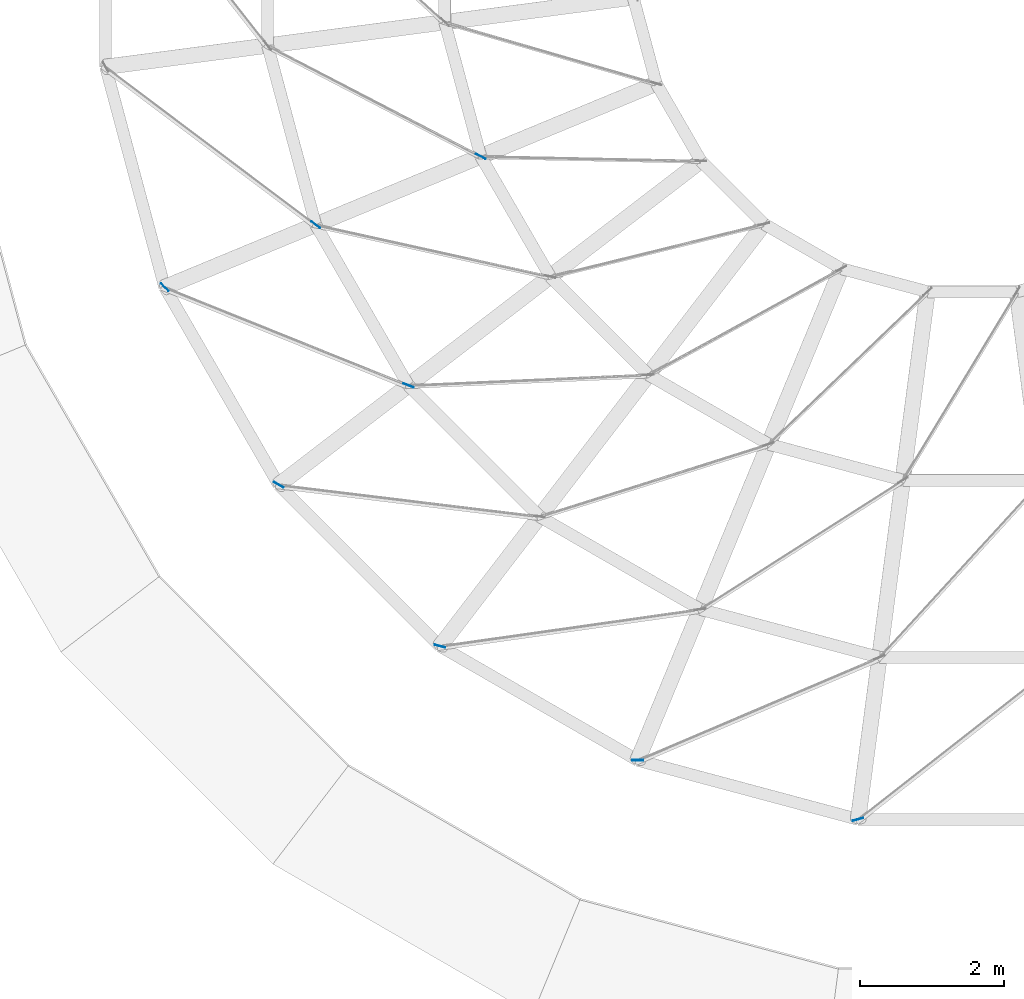
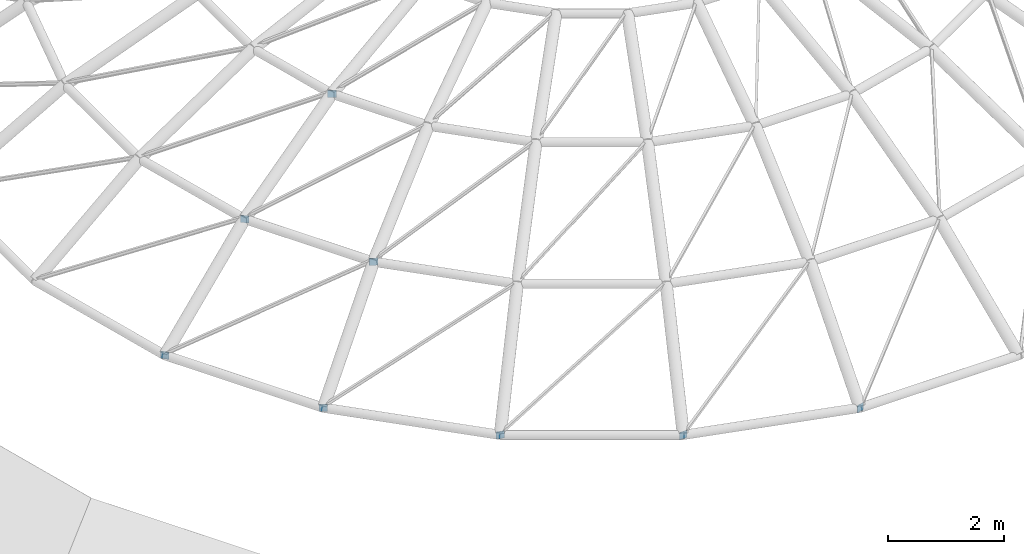
# One storey, part 17 of 33: 8 discrete accessories.
"""IFC4 building model written with IfcOpenShell, lengths in metres."""

import ifcopenshell
import ifcopenshell.guid

model = None  # the IFC model being written
_history = None  # IfcOwnerHistory: only IFC2X3 demands one
_inside = {}  # id of a spatial element -> (the spatial element, [elements in it])
_under = {}  # id of a project, library or spatial element -> (it, [spatial elements below it])
_declared = {}  # id of a project -> (the project, [libraries it declares])
_typed = {}  # id of a type object -> (the type object, [elements of that type])
_made_of = {}  # id of a material, layer set ... -> (it, [elements and type objects made of it])


def new_model(schema):
    """Start an empty IFC model of exactly this schema.

    Asked for "IFC4X3", IfcOpenShell would pick the latest addendum, in which some entities
    have other attributes; the version numbers below select the first issue.
    IFC2X3 requires an IfcOwnerHistory on every rooted entity: one is made here for all.
    """
    global model, _history
    if schema == "IFC4X3":
        model = ifcopenshell.file(schema_version=(4, 3, 0, 0))
    else:
        model = ifcopenshell.file(schema=schema)
    _inside.clear()
    _under.clear()
    _declared.clear()
    _typed.clear()
    _made_of.clear()
    _history = None
    if model.schema == "IFC2X3":
        org = make("IfcOrganization", Name="unknown")
        user = make(
            "IfcPersonAndOrganization",
            ThePerson=make("IfcPerson", FamilyName="unknown"),
            TheOrganization=org,
        )
        app = make(
            "IfcApplication",
            ApplicationDeveloper=org,
            Version="unknown",
            ApplicationFullName="unknown",
            ApplicationIdentifier="unknown",
        )
        _history = make(
            "IfcOwnerHistory",
            OwningUser=user,
            OwningApplication=app,
            ChangeAction="ADDED",
            CreationDate=0,
        )
    return model


def make(cls, **values):
    """One entity of the class cls with the attributes given. An attribute that is None is left unset."""
    return model.create_entity(
        cls, **{name: value for name, value in values.items() if value is not None}
    )


def rooted(cls, **values):
    """An entity with a GlobalId (a new one), such as an element, a storey or a relation."""
    return make(cls, GlobalId=ifcopenshell.guid.new(), OwnerHistory=_history, **values)


def si_unit(unit_type, name, prefix=None):
    """IfcSIUnit, for example si_unit("LENGTHUNIT", "METRE", prefix="MILLI")."""
    return make("IfcSIUnit", UnitType=unit_type, Prefix=prefix, Name=name)


def assignment(units):
    """IfcUnitAssignment: the units of a project."""
    return None if units is None else make("IfcUnitAssignment", Units=units)


def point(xyz):
    """IfcCartesianPoint."""
    return None if xyz is None else make("IfcCartesianPoint", Coordinates=xyz)


def direction(xyz):
    """IfcDirection."""
    return None if xyz is None else make("IfcDirection", DirectionRatios=xyz)


def frame(location, z_axis=None, x_axis=None):
    """IfcAxis2Placement3D, a coordinate frame: its origin and axes. An axis left out is left unset."""
    return make(
        "IfcAxis2Placement3D",
        Location=point(location),
        Axis=direction(z_axis),
        RefDirection=direction(x_axis),
    )


def frame_2d(location, x_axis=None):
    """IfcAxis2Placement2D, a coordinate frame in the plane: its origin and x axis."""
    return make(
        "IfcAxis2Placement2D", Location=point(location), RefDirection=direction(x_axis)
    )


def origin():
    """The frame at (0, 0, 0) with its axes left unset."""
    return frame((0.0, 0.0, 0.0))


def origin_2d():
    """The frame at (0, 0) in the plane with its x axis left unset."""
    return frame_2d((0.0, 0.0))


def place(relative_to, where):
    """IfcLocalPlacement: puts the frame where relative to a parent placement (None: the world)."""
    return make(
        "IfcLocalPlacement", PlacementRelTo=relative_to, RelativePlacement=where
    )


def context(
    kind, dimensions, precision=None, world=None, true_north=None, identifier=None
):
    """IfcGeometricRepresentationContext, for example the 3D "Model" context."""
    return make(
        "IfcGeometricRepresentationContext",
        ContextIdentifier=identifier,
        ContextType=kind,
        CoordinateSpaceDimension=dimensions,
        Precision=precision,
        WorldCoordinateSystem=world,
        TrueNorth=true_north,
    )


def subcontext(parent, identifier, kind, view, scale=None):
    """IfcGeometricRepresentationSubContext, for example "Body" below "Model"."""
    return make(
        "IfcGeometricRepresentationSubContext",
        ContextIdentifier=identifier,
        ContextType=kind,
        ParentContext=parent,
        TargetScale=scale,
        TargetView=view,
    )


def project(units=None, contexts=None):
    """IfcProject with its units and contexts."""
    return rooted(
        "IfcProject",
        Name="project",
        RepresentationContexts=contexts,
        UnitsInContext=assignment(units),
    )


def spatial(cls, under=None, at=None, **own):
    """A site, building, storey or space (cls), placed at a placement, below another one or the project."""
    s = rooted(cls, ObjectPlacement=at, **own)
    if under is not None:
        _under.setdefault(under.id(), (under, []))[1].append(s)
    return s


def profile(cls, at=None, kind="AREA", **sizes):
    """A parametric profile (cls). Its sizes go by their IFC names, for example OverallWidth=200.0."""
    return make(cls, ProfileType=kind, Position=at, **sizes)


def rectangle(**sizes):
    """IfcRectangleProfileDef."""
    return profile("IfcRectangleProfileDef", **sizes)


def extrude(swept, where, along, depth):
    """IfcExtrudedAreaSolid: the profile swept, set in the frame where, extruded along a direction by depth."""
    return make(
        "IfcExtrudedAreaSolid",
        SweptArea=swept,
        Position=where,
        ExtrudedDirection=direction(along),
        Depth=depth,
    )


def shape(context_of_items, identifier, shape_type, items):
    """IfcShapeRepresentation: the items that make up one representation, for example the "Body"."""
    return make(
        "IfcShapeRepresentation",
        ContextOfItems=context_of_items,
        RepresentationIdentifier=identifier,
        RepresentationType=shape_type,
        Items=items,
    )


def material(Name=None, Category=None):
    """IfcMaterial."""
    return make("IfcMaterial", Name=Name, Category=Category)


def made_of(thing, what):
    """Note that an element or type object is made of a material, layer set ...; save() writes the relation."""
    if what is not None:
        _made_of.setdefault(what.id(), (what, []))[1].append(thing)
    return thing


def type_object(cls, material=None, **own):
    """A type object (cls), such as IfcWallType, which elements share."""
    return made_of(rooted(cls, **own), material)


def element(
    cls,
    number,
    at=None,
    inside=None,
    cuts=None,
    type_object=None,
    material=None,
    context=None,
    identifier="Body",
    shape_type=None,
    held_by="IfcProductDefinitionShape",
    body=None,
    shapes=None,
    **own,
):
    """One element of the class cls, such as IfcWall. Its Tag is "e" and its number.

    at: its placement. inside: the storey or other place that contains it. cuts: it is an
    opening in that element (IfcRelVoidsElement). A single representation is given by context,
    identifier, shape_type and body (its items); several are given by shapes. held_by: the class
    of the entity that holds the representations. save() writes the other relations.
    """
    e = rooted(cls, Tag="e%d" % number, ObjectPlacement=at, **own)
    if body is not None:
        shapes = [shape(context, identifier, shape_type, body)]
    if shapes is not None:
        e.Representation = make(held_by, Representations=shapes)
    if inside is not None:
        _inside.setdefault(inside.id(), (inside, []))[1].append(e)
    if cuts is not None:
        rooted(
            "IfcRelVoidsElement", RelatingBuildingElement=cuts, RelatedOpeningElement=e
        )
    if type_object is not None:
        _typed.setdefault(type_object.id(), (type_object, []))[1].append(e)
    return made_of(e, material)


def aggregate(whole, parts):
    """IfcRelAggregates: a whole, such as a stair, and the parts it consists of."""
    return rooted("IfcRelAggregates", RelatingObject=whole, RelatedObjects=parts)


def save(model, path):
    """Write the relations noted so far, then the file.

    IfcRelAggregates (storeys below a building ...), IfcRelContainedInSpatialStructure (elements
    in a storey), IfcRelDefinesByType, IfcRelAssociatesMaterial and IfcRelDeclares: one each for
    every whole, place, type object, material and project.
    """
    for whole, parts in _under.values():
        aggregate(whole, parts)
    for where, things in _inside.values():
        rooted(
            "IfcRelContainedInSpatialStructure",
            RelatedElements=things,
            RelatingStructure=where,
        )
    for kind, things in _typed.values():
        rooted("IfcRelDefinesByType", RelatedObjects=things, RelatingType=kind)
    for what, things in _made_of.values():
        rooted("IfcRelAssociatesMaterial", RelatedObjects=things, RelatingMaterial=what)
    for by, libraries in _declared.values():
        rooted("IfcRelDeclares", RelatingContext=by, RelatedDefinitions=libraries)
    model.write(path)


model = new_model("IFC4")

# Units and contexts
model_context = context("Model", 3, precision=1e-05, world=origin(), true_north=direction((0.0, 1.0)))
body_context = subcontext(model_context, "Body", "Model", "MODEL_VIEW")
ifc_project = project(units=[si_unit("LENGTHUNIT", "METRE"), si_unit("AREAUNIT", "SQUARE_METRE"), si_unit("VOLUMEUNIT", "CUBIC_METRE"), si_unit("PLANEANGLEUNIT", "RADIAN"), si_unit("MASSUNIT", "GRAM", prefix="KILO")], contexts=[model_context])

# Site, building, storey
site_placement = place(None, origin())
site = spatial("IfcSite", under=ifc_project, at=site_placement, CompositionType="ELEMENT")
building_placement = place(site_placement, origin())
building = spatial("IfcBuilding", under=site, at=building_placement, Name="Hortulan Conservatory and Botanical Research Centre", CompositionType="ELEMENT")
storey_placement = place(building_placement, frame((0.0, 0.0, 19.199951171875)))
storey = spatial("IfcBuildingStorey", under=building, at=storey_placement, Name="L04", CompositionType="ELEMENT", Elevation=19.199951171875)

# Discrete accessories
ifc_material = material(Name="Steel Grade 300 plate (AS/NZS 3678, 280 MPa minimum yield)", Category="steel")
discrete_accessory_type = type_object("IfcDiscreteAccessoryType", Name="End Plate 150x10", PredefinedType="BRACKET", material=ifc_material)
for number, where, z_axis, x_axis, name in (
    (1, (42.821044921875, 13.369384765625, 0.361572265625), (0.0, 0.0, 1.0), (0.708770897942, -0.705438738822, 0.0), "Dome rod end plate"),
    (2, (44.400390625, 10.634033203125, 0.361572265625), (0.0, 0.0, 1.0), (0.867201096005, -0.497958089691, 0.0), "Dome rod end plate"),
    (3, (44.9111328125, 14.235107421875, 1.972900390625), (0.0, 0.0, 1.0), (0.799380656082, -0.600824905178, 0.0), "Dome rod end plate"),
    (4, (46.195068359375, 12.010986328125, 1.972900390625), (0.0, 0.0, 1.0), (0.927640830776, -0.373473545352, 0.0), "Dome rod end plate"),
    (5, (46.634033203125, 8.400390625, 0.361572265625), (0.0, 0.0, 1.0), (0.966532972492, -0.256542419662, 0.0), "Dome rod end plate"),
    (6, (47.1962890625, 15.181884765625, 3.236083984375), (0.0, 0.0, 1.0), (0.887188066525, -0.461407991495, 0.0), "Dome rod end plate"),
    (7, (49.369384765625, 6.821044921875, 0.361572265625), (0.0, 0.0, 1.0), (0.999997182899, 0.002373645554, 0.0), "Dome rod end plate"),
    (8, (52.420654296875, 6.00341796875, 0.361572265625), (0.0, 0.0, 1.0), (0.965313317604, 0.26109423367, 0.0), "Dome rod end plate"),
):
    element("IfcDiscreteAccessory", number, at=place(storey_placement, frame(where, z_axis=z_axis, x_axis=x_axis)), inside=storey, type_object=discrete_accessory_type, Name=name, PredefinedType="BRACKET", context=body_context, shape_type="SweptSolid", body=[
        extrude(rectangle(XDim=0.14990234375, YDim=0.010009765625, at=origin_2d()), origin(), (0.0, 0.0, 1.0), 0.14990234375),
    ])

save(model, "model.ifc")
